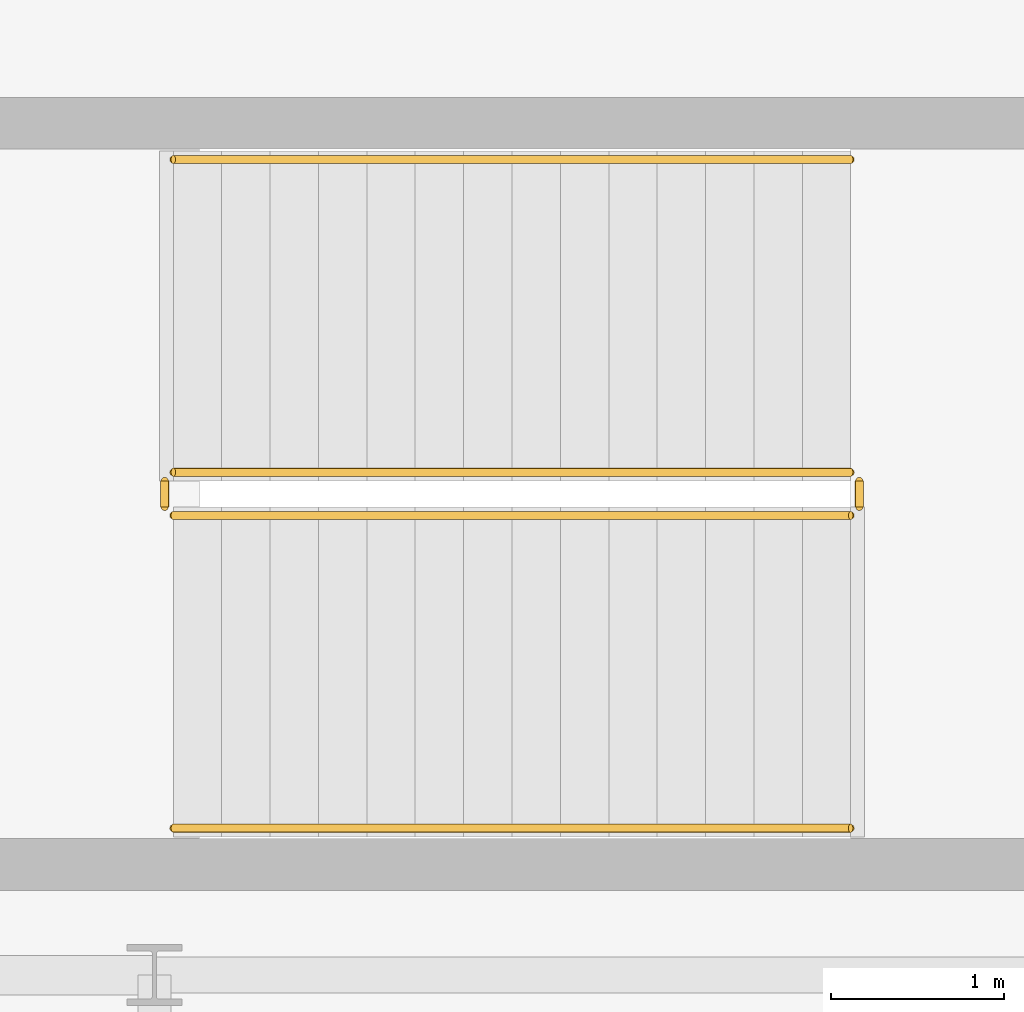
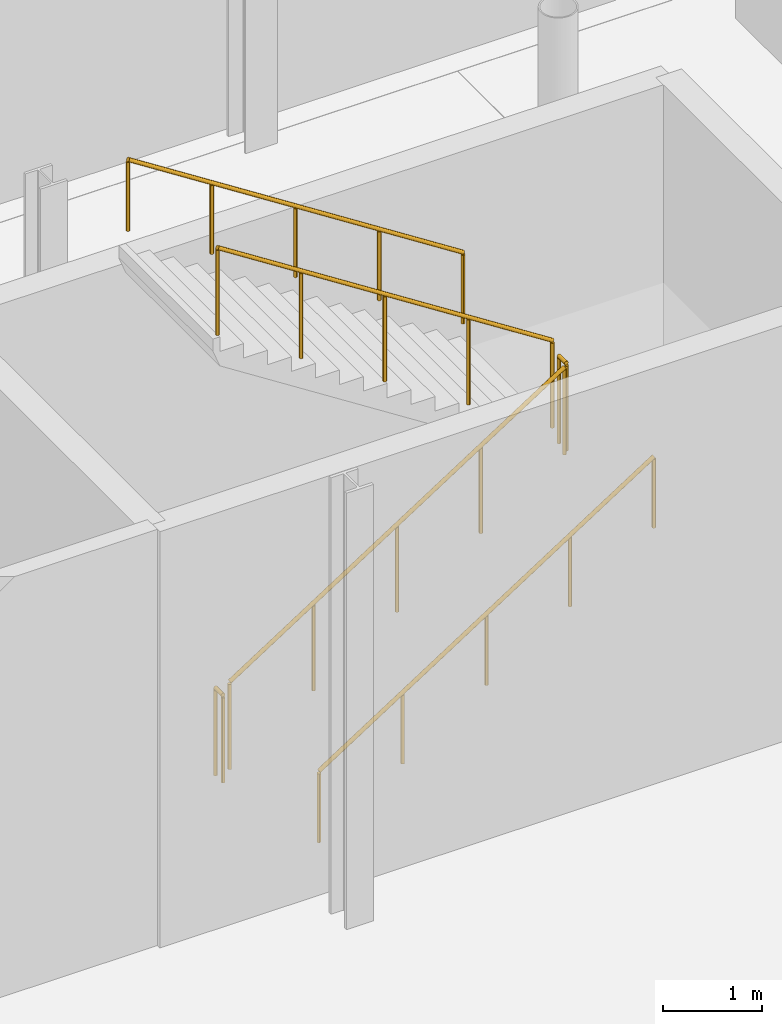
# One storey, part 95 of 98: 6 railings.
"""IFC4 building model written with IfcOpenShell, lengths in metres."""

from ifc_helpers import new_model, si_unit, direction, frame, origin, origin_2d, place, context, subcontext, project, spatial, circle, extrude, material, type_object, element, save


model = new_model("IFC4")

# Units and contexts
model_context = context("Model", 3, precision=1e-05, world=origin(), true_north=direction((0.0, 1.0)))
body_context = subcontext(model_context, "Body", "Model", "MODEL_VIEW")
ifc_project = project(units=[si_unit("LENGTHUNIT", "METRE"), si_unit("AREAUNIT", "SQUARE_METRE"), si_unit("VOLUMEUNIT", "CUBIC_METRE"), si_unit("PLANEANGLEUNIT", "RADIAN"), si_unit("MASSUNIT", "GRAM", prefix="KILO")], contexts=[model_context])

# Site, building, storey
site_placement = place(None, origin())
site = spatial("IfcSite", under=ifc_project, at=site_placement, CompositionType="ELEMENT")
building_placement = place(site_placement, origin())
building = spatial("IfcBuilding", under=site, at=building_placement, Name="Mirzam Square Science Centre", CompositionType="ELEMENT")
storey_placement = place(building_placement, origin())
storey = spatial("IfcBuildingStorey", under=building, at=storey_placement, Name="L00", CompositionType="ELEMENT", Elevation=0.0)

# Railings
ifc_material_1 = material(Name="Bronze-Anodised Architectural Balustrade", Category="aluminium")
railing_type_1 = type_object("IfcRailingType", Name="RL-INT-GUARD-1100", PredefinedType="GUARDRAIL", material=ifc_material_1)
railing_1_placement = place(storey_placement, frame((126.110107421875, 77.06005859375, 0.179931640625)))
element("IfcRailing", 1, at=railing_1_placement, inside=storey, type_object=railing_type_1, Name="L00 ST-04 stair guard 1", PredefinedType="GUARDRAIL", context=body_context, shape_type="SweptSolid", body=[
    extrude(circle(Radius=0.02392578125, at=origin_2d()), frame((0.0, 0.0, 1.076171875), z_axis=(0.841171666519, 0.0, 0.540768182723), x_axis=(0.0, 1.0, 0.0)), (0.0, 0.0, 1.0), 4.66015625),
    extrude(circle(Radius=0.02099609375, at=origin_2d()), origin(), (0.0, 0.0, 1.0), 1.052001953125),
    extrude(circle(Radius=0.02099609375, at=origin_2d()), frame((0.97998046875, 0.0, 0.6298828125)), (0.0, 0.0, 1.0), 1.052001953125),
    extrude(circle(Radius=0.02099609375, at=origin_2d()), frame((1.9599609375, 0.0, 1.260009765625)), (0.0, 0.0, 1.0), 1.052001953125),
    extrude(circle(Radius=0.02099609375, at=origin_2d()), frame((2.93994140625, 0.0, 1.89013671875)), (0.0, 0.0, 1.0), 1.052001953125),
    extrude(circle(Radius=0.02099609375, at=origin_2d()), frame((3.919921875, 0.0, 2.52001953125)), (0.0, 0.0, 1.0), 1.052001953125),
])
railing_2_placement = place(storey_placement, frame((130.080078125, 77.110107421875, 2.699951171875)))
element("IfcRailing", 2, at=railing_2_placement, inside=storey, type_object=railing_type_1, Name="L00 ST-04 stair guard 2", PredefinedType="GUARDRAIL", context=body_context, shape_type="SweptSolid", body=[
    extrude(circle(Radius=0.02392578125, at=origin_2d()), frame((0.0, 0.0, 1.076171875), z_axis=(0.0, 1.0, 0.0), x_axis=(-1.0, 0.0, 0.0)), (0.0, 0.0, 1.0), 0.14990234375),
    extrude(circle(Radius=0.02099609375, at=origin_2d()), origin(), (0.0, 0.0, 1.0), 1.052001953125),
    extrude(circle(Radius=0.02099609375, at=origin_2d()), frame((0.0, 0.14990234375, 0.0)), (0.0, 0.0, 1.0), 1.052001953125),
])
railing_3_placement = place(storey_placement, frame((130.030029296875, 77.31005859375, 2.8798828125)))
element("IfcRailing", 3, at=railing_3_placement, inside=storey, type_object=railing_type_1, Name="L00 ST-04 stair guard 3", PredefinedType="GUARDRAIL", context=body_context, shape_type="SweptSolid", body=[
    extrude(circle(Radius=0.02392578125, at=origin_2d()), frame((0.0, 0.0, 1.076171875), z_axis=(-0.841171666519, 0.0, 0.540768182723), x_axis=(0.0, -1.0, 0.0)), (0.0, 0.0, 1.0), 4.66015625),
    extrude(circle(Radius=0.02099609375, at=origin_2d()), origin(), (0.0, 0.0, 1.0), 1.052001953125),
    extrude(circle(Radius=0.02099609375, at=origin_2d()), frame((-0.97998046875, 0.0, 0.6298828125)), (0.0, 0.0, 1.0), 1.052001953125),
    extrude(circle(Radius=0.02099609375, at=origin_2d()), frame((-1.9599609375, 0.0, 1.260009765625)), (0.0, 0.0, 1.0), 1.052001953125),
    extrude(circle(Radius=0.02099609375, at=origin_2d()), frame((-2.93994140625, 0.0, 1.89013671875)), (0.0, 0.0, 1.0), 1.052001953125),
    extrude(circle(Radius=0.02099609375, at=origin_2d()), frame((-3.919921875, 0.0, 2.52001953125)), (0.0, 0.0, 1.0), 1.052001953125),
])
railing_4_placement = place(storey_placement, frame((126.06005859375, 77.110107421875, 0.0)))
element("IfcRailing", 4, at=railing_4_placement, inside=storey, type_object=railing_type_1, Name="L00 ST-04 stair guard 4", PredefinedType="GUARDRAIL", context=body_context, shape_type="SweptSolid", body=[
    extrude(circle(Radius=0.02392578125, at=origin_2d()), frame((0.0, 0.0, 1.076171875), z_axis=(0.0, 1.0, 0.0), x_axis=(-1.0, 0.0, 0.0)), (0.0, 0.0, 1.0), 0.14990234375),
    extrude(circle(Radius=0.02099609375, at=origin_2d()), origin(), (0.0, 0.0, 1.0), 1.052001953125),
    extrude(circle(Radius=0.02099609375, at=origin_2d()), frame((0.0, 0.14990234375, 0.0)), (0.0, 0.0, 1.0), 1.052001953125),
])
ifc_material_2 = material(Name="Brushed Bronze Tubular Handrail", Category="aluminium")
railing_type_2 = type_object("IfcRailingType", Name="RL-STAIR-HANDRAIL-900", PredefinedType="HANDRAIL", material=ifc_material_2)
railing_5_placement = place(storey_placement, frame((126.110107421875, 75.25, 0.3720703125)))
element("IfcRailing", 5, at=railing_5_placement, inside=storey, type_object=railing_type_2, Name="L00 ST-04 stair handrail 1", PredefinedType="HANDRAIL", context=body_context, shape_type="SweptSolid", body=[
    extrude(circle(Radius=0.02392578125, at=origin_2d()), frame((0.0, 0.0, 0.8759765625), z_axis=(0.841171666519, 0.0, 0.540768182723), x_axis=(0.0, 1.0, 0.0)), (0.0, 0.0, 1.0), 4.66015625),
    extrude(circle(Radius=0.02099609375, at=origin_2d()), origin(), (0.0, 0.0, 1.0), 0.851806640625),
    extrude(circle(Radius=0.02099609375, at=origin_2d()), frame((0.97998046875, 0.0, 0.6298828125)), (0.0, 0.0, 1.0), 0.851806640625),
    extrude(circle(Radius=0.02099609375, at=origin_2d()), frame((1.9599609375, 0.0, 1.260009765625)), (0.0, 0.0, 1.0), 0.851806640625),
    extrude(circle(Radius=0.02099609375, at=origin_2d()), frame((2.93994140625, 0.0, 1.89013671875)), (0.0, 0.0, 1.0), 0.851806640625),
    extrude(circle(Radius=0.02099609375, at=origin_2d()), frame((3.919921875, 0.0, 2.52001953125)), (0.0, 0.0, 1.0), 0.851806640625),
])
railing_6_placement = place(storey_placement, frame((130.030029296875, 79.1201171875, 3.072021484375)))
element("IfcRailing", 6, at=railing_6_placement, inside=storey, type_object=railing_type_2, Name="L00 ST-04 stair handrail 2", PredefinedType="HANDRAIL", context=body_context, shape_type="SweptSolid", body=[
    extrude(circle(Radius=0.02392578125, at=origin_2d()), frame((0.0, 0.0, 0.8759765625), z_axis=(-0.841171666519, 0.0, 0.540768182723), x_axis=(0.0, -1.0, 0.0)), (0.0, 0.0, 1.0), 4.66015625),
    extrude(circle(Radius=0.02099609375, at=origin_2d()), origin(), (0.0, 0.0, 1.0), 0.851806640625),
    extrude(circle(Radius=0.02099609375, at=origin_2d()), frame((-0.97998046875, 0.0, 0.6298828125)), (0.0, 0.0, 1.0), 0.851806640625),
    extrude(circle(Radius=0.02099609375, at=origin_2d()), frame((-1.9599609375, 0.0, 1.260009765625)), (0.0, 0.0, 1.0), 0.851806640625),
    extrude(circle(Radius=0.02099609375, at=origin_2d()), frame((-2.93994140625, 0.0, 1.89013671875)), (0.0, 0.0, 1.0), 0.851806640625),
    extrude(circle(Radius=0.02099609375, at=origin_2d()), frame((-3.919921875, 0.0, 2.52001953125)), (0.0, 0.0, 1.0), 0.851806640625),
])

save(model, "model.ifc")
